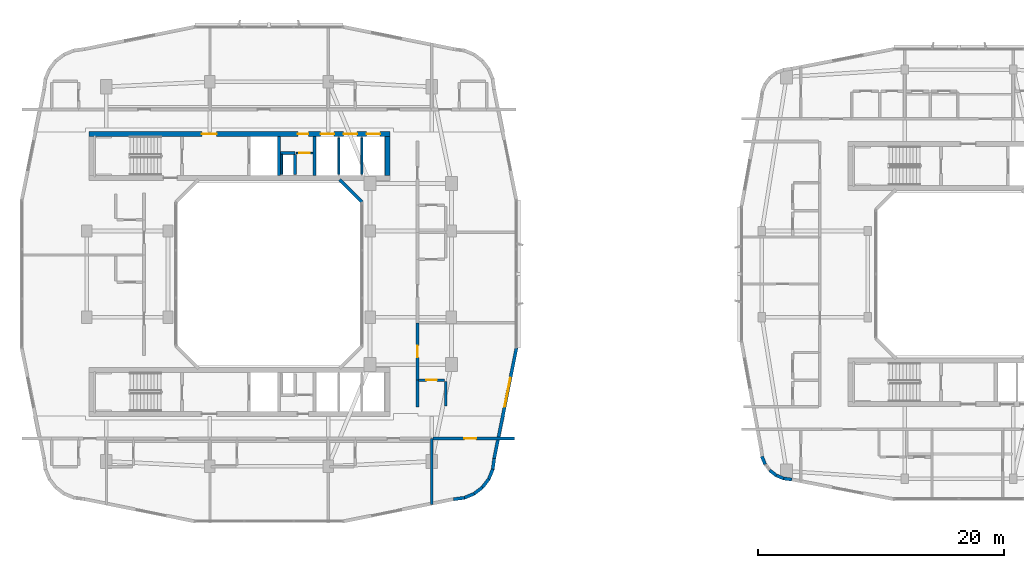
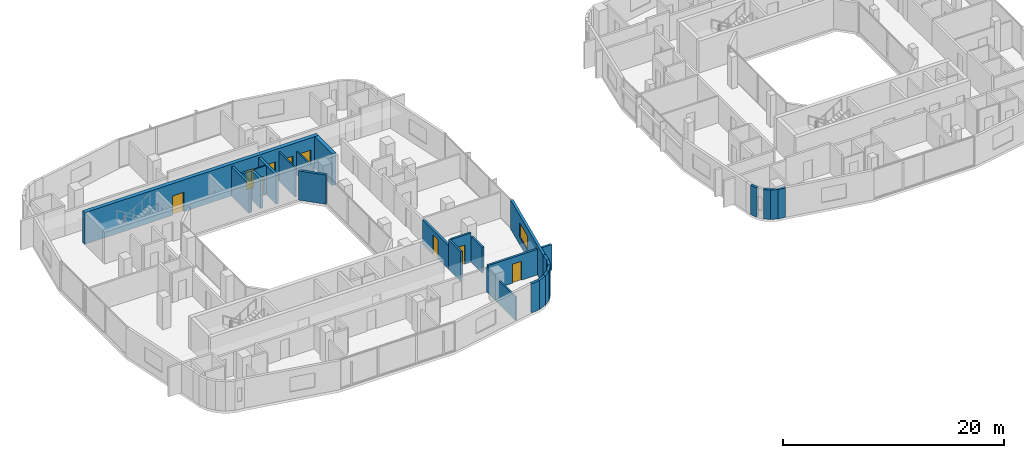
# One storey, part 14 of 26: 28 walls, 9 doors, 1 window, 10 openings.
"""IFC4 building model written with IfcOpenShell, lengths in metres."""

from ifc_helpers import new_model, si_unit, derived_unit, direction, frame, frame_2d, origin, place, context, subcontext, project, spatial, rectangle, extrude, material, layer, layer_set, type_object, element, fill, save


model = new_model("IFC4")

# Units and contexts
model_context = context("Model", 3, precision=1e-05, world=origin(), true_north=direction((0.0, 1.0)))
body_context = subcontext(model_context, "Body", "Model", "MODEL_VIEW")
ifc_project = project(units=[si_unit("LENGTHUNIT", "METRE"), si_unit("AREAUNIT", "SQUARE_METRE"), si_unit("VOLUMEUNIT", "CUBIC_METRE"), si_unit("PLANEANGLEUNIT", "RADIAN"), si_unit("MASSUNIT", "GRAM", prefix="KILO"), derived_unit("THERMALTRANSMITTANCEUNIT", [(si_unit("POWERUNIT", "WATT"), 1), (si_unit("LENGTHUNIT", "METRE"), -2), (si_unit("THERMODYNAMICTEMPERATUREUNIT", "KELVIN"), -1)])], contexts=[model_context])

# Site, building, storey
site_placement = place(None, origin())
site = spatial("IfcSite", under=ifc_project, at=site_placement, CompositionType="ELEMENT")
building_placement = place(site_placement, origin())
building = spatial("IfcBuilding", under=site, at=building_placement, Name="Kivonza Crest Hotel", CompositionType="ELEMENT")
storey_placement = place(building_placement, frame((0.0, 0.0, 98.5)))
storey = spatial("IfcBuildingStorey", under=building, at=storey_placement, Name="L26", CompositionType="ELEMENT", Elevation=98.5)

# Wall
ifc_material_1 = material(Name="High-density acoustic masonry inter-tenancy wall", Category="masonry")
ifc_layer_1 = layer(ifc_material_1, 0.179931640625)
ifc_layer_set_1 = layer_set([ifc_layer_1], Name="High-density acoustic masonry inter-tenancy wall")
wall_type_1 = type_object("IfcWallType", Name="WL-ACOU-180", PredefinedType="SOLIDWALL", material=ifc_layer_set_1)
wall_1_placement = place(storey_placement, frame((34.199951171875, 6.299072265625, 0.0), z_axis=(0.0, 0.0, 1.0), x_axis=(0.0, 1.0, 0.0)))
element("IfcWall", 1, at=wall_1_placement, inside=storey, type_object=wall_type_1, Name="L26 interior partition WA-L26-T1S-DIV4", PredefinedType="SOLIDWALL", context=body_context, shape_type="SweptSolid", body=[
    extrude(rectangle(XDim=5.350830078125, YDim=0.179931640625, at=frame_2d((2.67529296875, 0.0))), origin(), (0.0, 0.0, 1.0), 2.594970703125),
])

# Wall, opening, door
ifc_material_2 = material(Name="Autoclaved aerated concrete blockwork", Category="masonry")
ifc_layer_2 = layer(ifc_material_2, 0.219970703125)
ifc_layer_set_2 = layer_set([ifc_layer_2], Name="Autoclaved aerated concrete blockwork")
wall_type_2 = type_object("IfcWallType", Name="WL-ACOU-220", PredefinedType="SOLIDWALL", material=ifc_layer_set_2)
wall_2_placement = place(storey_placement, frame((34.300048828125, 11.64990234375, 0.0), z_axis=(0.0, 0.0, 1.0), x_axis=(1.0, 0.0, 0.0)))
wall_2 = element("IfcWall", 2, at=wall_2_placement, inside=storey, type_object=wall_type_2, Name="L26 interior partition WA-L26-BUS-MTG-N", PredefinedType="SOLIDWALL", context=body_context, shape_type="SweptSolid", body=[
    extrude(rectangle(XDim=6.639892578125, YDim=0.219970703125, at=frame_2d((3.31982421875, 0.0))), origin(), (0.0, 0.0, 1.0), 2.8349609375),
])
opening_1_placement = place(wall_2_placement, frame((2.550048828125, 0.0, 0.0)))
opening_1 = element("IfcOpeningElement", 3, at=opening_1_placement, cuts=wall_2, Name="Opening DF-60S", PredefinedType="OPENING", context=body_context, shape_type="SweptSolid", body=[
    extrude(rectangle(XDim=0.949951171875, YDim=2.10009765625, at=frame_2d((0.47509765625, 1.050048828125))), frame((0.0, 0.1201171875, 0.0), z_axis=(0.0, -1.0, 0.0), x_axis=(1.0, 0.0, 0.0)), (0.0, 0.0, 1.0), 0.239990234375),
])
ifc_material_3 = material(Name="Hardwood timber oak", Category="wood")
door_type_1 = type_object("IfcDoorType", Name="DR-FD60-950", OperationType="NOTDEFINED", PredefinedType="DOOR", material=ifc_material_3)
door_1_placement = place(opening_1_placement, frame((0.949951171875, 0.0, 0.0), z_axis=(0.0, 0.0, 1.0), x_axis=(-1.0, 0.0, 0.0)))
door_1 = element("IfcDoor", 4, at=door_1_placement, inside=storey, type_object=door_type_1, Name="L26 Floor Beverage Kitchen door", OperationType="SINGLE_SWING_RIGHT", OverallHeight=2.10009765625, OverallWidth=0.949951171875, PredefinedType="DOOR", context=body_context, shape_type="SweptSolid", body=[
    extrude(rectangle(XDim=0.949951171875, YDim=2.10009765625, at=frame_2d((0.47509765625, 1.050048828125))), frame((0.0, 0.02490234375, 0.0), z_axis=(0.0, -1.0, 0.0), x_axis=(1.0, 0.0, 0.0)), (0.0, 0.0, 1.0), 0.050048828125),
])
fill(opening_1, door_1)

# Wall
wall_3_placement = place(storey_placement, frame((33.050048828125, 14.199951171875, 0.0), z_axis=(0.0, 0.0, 1.0), x_axis=(0.0, 1.0, 0.0)))
element("IfcWall", 5, at=wall_3_placement, inside=storey, type_object=wall_type_2, Name="L26 interior partition WA-L26-E10-BCORR", PredefinedType="SOLIDWALL", context=body_context, shape_type="SweptSolid", body=[
    extrude(rectangle(XDim=2.199951171875, YDim=0.219970703125, at=frame_2d((1.10009765625, 0.0))), origin(), (0.0, 0.0, 1.0), 3.219970703125),
])

# Wall, opening, door
wall_4_placement = place(storey_placement, frame((33.050048828125, 16.39990234375, 0.0), z_axis=(0.0, 0.0, 1.0), x_axis=(0.0, 1.0, 0.0)))
wall_4 = element("IfcWall", 6, at=wall_4_placement, inside=storey, type_object=wall_type_2, Name="L26 interior partition WA-L26-E10-MCORR", PredefinedType="SOLIDWALL", context=body_context, shape_type="SweptSolid", body=[
    extrude(rectangle(XDim=4.649169921875, YDim=0.219970703125, at=frame_2d((2.32470703125, 0.0))), origin(), (0.0, 0.0, 1.0), 2.594970703125),
])
opening_2_placement = place(wall_4_placement, frame((1.85009765625, 0.0, 0.0)))
opening_2 = element("IfcOpeningElement", 7, at=opening_2_placement, cuts=wall_4, Name="Opening DU-60", PredefinedType="OPENING", context=body_context, shape_type="SweptSolid", body=[
    extrude(rectangle(XDim=0.949951171875, YDim=2.10009765625, at=frame_2d((0.47509765625, 1.050048828125))), frame((0.0, 0.1201171875, 0.0), z_axis=(0.0, -1.0, 0.0), x_axis=(1.0, 0.0, 0.0)), (0.0, 0.0, 1.0), 0.239990234375),
])
door_type_2 = type_object("IfcDoorType", Name="DR-UNIT-950", OperationType="NOTDEFINED", PredefinedType="DOOR", material=ifc_material_3)
door_2_placement = place(opening_2_placement, frame((0.949951171875, 0.0, 0.0), z_axis=(0.0, 0.0, 1.0), x_axis=(-1.0, 0.0, 0.0)))
door_2 = element("IfcDoor", 8, at=door_2_placement, inside=storey, type_object=door_type_2, Name="L26 E10 guest unit entrance fire door", OperationType="SINGLE_SWING_RIGHT", OverallHeight=2.10009765625, OverallWidth=0.949951171875, PredefinedType="DOOR", context=body_context, shape_type="SweptSolid", body=[
    extrude(rectangle(XDim=0.949951171875, YDim=2.10009765625, at=frame_2d((0.47509765625, 1.050048828125))), frame((0.0, 0.02490234375, 0.0), z_axis=(0.0, -1.0, 0.0), x_axis=(1.0, 0.0, 0.0)), (0.0, 0.0, 1.0), 0.050048828125),
])
fill(opening_2, door_2)

# Wall, openings, doors
ifc_material_4 = material(Name="Concrete C50/60", Category="concrete")
ifc_layer_3 = layer(ifc_material_4, 0.39990234375)
ifc_layer_set_3 = layer_set([ifc_layer_3], Name="Concrete C50/60")
wall_type_3 = type_object("IfcWallType", Name="WL-CORE-400", PredefinedType="SHEAR", material=ifc_layer_set_3)
wall_5_placement = place(storey_placement, frame((6.39990234375, 36.360107421875, 0.0), z_axis=(0.0, 0.0, 1.0), x_axis=(1.0, 0.0, 0.0)))
wall_5 = element("IfcWall", 9, at=wall_5_placement, inside=storey, type_object=wall_type_3, Name="Core wall T1-N North L26", PredefinedType="SHEAR", context=body_context, shape_type="SweptSolid", body=[
    extrude(rectangle(XDim=24.400146484375, YDim=0.39990234375, at=frame_2d((12.2001953125, 0.0))), origin(), (0.0, 0.0, 1.0), 3.5),
])
opening_3_placement = place(wall_5_placement, frame((9.14990234375, 0.0, 0.0)))
opening_3 = element("IfcOpeningElement", 10, at=opening_3_placement, cuts=wall_5, Name="Opening DF-60", PredefinedType="OPENING", context=body_context, shape_type="SweptSolid", body=[
    extrude(rectangle(XDim=1.199951171875, YDim=2.14990234375, at=frame_2d((0.60009765625, 1.074951171875))), frame((0.0, 0.2099609375, 0.0), z_axis=(0.0, -1.0, 0.0), x_axis=(1.0, 0.0, 0.0)), (0.0, 0.0, 1.0), 0.419921875),
])
opening_4_placement = place(wall_5_placement, frame((16.93994140625, 0.0, 0.0)))
opening_4 = element("IfcOpeningElement", 11, at=opening_4_placement, cuts=wall_5, Name="Opening DF-60R", PredefinedType="OPENING", context=body_context, shape_type="SweptSolid", body=[
    extrude(rectangle(XDim=0.85009765625, YDim=2.10009765625, at=frame_2d((0.425048828125, 1.050048828125))), frame((0.0, 0.2099609375, 0.0), z_axis=(0.0, -1.0, 0.0), x_axis=(1.0, 0.0, 0.0)), (0.0, 0.0, 1.0), 0.419921875),
])
opening_5_placement = place(wall_5_placement, frame((18.782958984375, 0.0, 0.0)))
opening_5 = element("IfcOpeningElement", 12, at=opening_5_placement, cuts=wall_5, Name="Opening LD-120", PredefinedType="OPENING", context=body_context, shape_type="SweptSolid", body=[
    extrude(rectangle(XDim=1.10009765625, YDim=2.14990234375, at=frame_2d((0.550048828125, 1.074951171875))), frame((0.0, 0.2099609375, 0.0), z_axis=(0.0, -1.0, 0.0), x_axis=(1.0, 0.0, 0.0)), (0.0, 0.0, 1.0), 0.419921875),
])
opening_6_placement = place(wall_5_placement, frame((20.64990234375, 0.0, 0.0)))
opening_6 = element("IfcOpeningElement", 13, at=opening_6_placement, cuts=wall_5, Name="Opening LD-120", PredefinedType="OPENING", context=body_context, shape_type="SweptSolid", body=[
    extrude(rectangle(XDim=1.10009765625, YDim=2.14990234375, at=frame_2d((0.550048828125, 1.074951171875))), frame((0.0, 0.2099609375, 0.0), z_axis=(0.0, -1.0, 0.0), x_axis=(1.0, 0.0, 0.0)), (0.0, 0.0, 1.0), 0.419921875),
])
opening_7_placement = place(wall_5_placement, frame((22.51708984375, 0.0, 0.0)))
opening_7 = element("IfcOpeningElement", 14, at=opening_7_placement, cuts=wall_5, Name="Opening LD-120", PredefinedType="OPENING", context=body_context, shape_type="SweptSolid", body=[
    extrude(rectangle(XDim=1.10009765625, YDim=2.14990234375, at=frame_2d((0.550048828125, 1.074951171875))), frame((0.0, 0.2099609375, 0.0), z_axis=(0.0, -1.0, 0.0), x_axis=(1.0, 0.0, 0.0)), (0.0, 0.0, 1.0), 0.419921875),
])
door_type_3 = type_object("IfcDoorType", Name="DR-FD60-1200", OperationType="NOTDEFINED", PredefinedType="DOOR", material=ifc_material_3)
door_3_placement = place(opening_3_placement, origin())
door_3 = element("IfcDoor", 15, at=door_3_placement, inside=storey, type_object=door_type_3, Name="L26 T1-N firefighting lobby fire door", OperationType="SINGLE_SWING_RIGHT", OverallHeight=2.14990234375, OverallWidth=1.199951171875, PredefinedType="DOOR", context=body_context, shape_type="SweptSolid", body=[
    extrude(rectangle(XDim=1.199951171875, YDim=2.14990234375, at=frame_2d((0.60009765625, 1.074951171875))), frame((0.0, 0.02490234375, 0.0), z_axis=(0.0, -1.0, 0.0), x_axis=(1.0, 0.0, 0.0)), (0.0, 0.0, 1.0), 0.050048828125),
])
fill(opening_3, door_3)
door_type_4 = type_object("IfcDoorType", Name="DR-FD60-850", OperationType="NOTDEFINED", PredefinedType="DOOR", material=ifc_material_3)
door_4_placement = place(opening_4_placement, origin())
door_4 = element("IfcDoor", 16, at=door_4_placement, inside=storey, type_object=door_type_4, Name="L26 T1-N core room door", OperationType="SINGLE_SWING_RIGHT", OverallHeight=2.10009765625, OverallWidth=0.85009765625, PredefinedType="DOOR", context=body_context, shape_type="SweptSolid", body=[
    extrude(rectangle(XDim=0.85009765625, YDim=2.10009765625, at=frame_2d((0.425048828125, 1.050048828125))), frame((0.0, 0.02490234375, 0.0), z_axis=(0.0, -1.0, 0.0), x_axis=(1.0, 0.0, 0.0)), (0.0, 0.0, 1.0), 0.050048828125),
])
fill(opening_4, door_4)
ifc_material_5 = material(Name="Stainless steel", Category="steel")
door_type_5 = type_object("IfcDoorType", Name="DR-LD120-1100", OperationType="NOTDEFINED", PredefinedType="DOOR", material=ifc_material_5)
door_5_placement = place(opening_5_placement, origin())
door_5 = element("IfcDoor", 17, at=door_5_placement, inside=storey, type_object=door_type_5, Name="L26 PL-T1-L1 passenger lift sliding landing door", OperationType="DOUBLE_DOOR_SLIDING", OverallHeight=2.14990234375, OverallWidth=1.10009765625, PredefinedType="DOOR", context=body_context, shape_type="SweptSolid", body=[
    extrude(rectangle(XDim=1.10009765625, YDim=2.14990234375, at=frame_2d((0.550048828125, 1.074951171875))), frame((0.0, 0.02490234375, 0.0), z_axis=(0.0, -1.0, 0.0), x_axis=(1.0, 0.0, 0.0)), (0.0, 0.0, 1.0), 0.050048828125),
])
fill(opening_5, door_5)
door_6_placement = place(opening_6_placement, origin())
door_6 = element("IfcDoor", 18, at=door_6_placement, inside=storey, type_object=door_type_5, Name="L26 PL-T1-L2 passenger lift sliding landing door", OperationType="DOUBLE_DOOR_SLIDING", OverallHeight=2.14990234375, OverallWidth=1.10009765625, PredefinedType="DOOR", context=body_context, shape_type="SweptSolid", body=[
    extrude(rectangle(XDim=1.10009765625, YDim=2.14990234375, at=frame_2d((0.550048828125, 1.074951171875))), frame((0.0, 0.02490234375, 0.0), z_axis=(0.0, -1.0, 0.0), x_axis=(1.0, 0.0, 0.0)), (0.0, 0.0, 1.0), 0.050048828125),
])
fill(opening_6, door_6)
door_7_placement = place(opening_7_placement, origin())
door_7 = element("IfcDoor", 19, at=door_7_placement, inside=storey, type_object=door_type_5, Name="L26 PL-T1-L3 passenger lift sliding landing door", OperationType="DOUBLE_DOOR_SLIDING", OverallHeight=2.14990234375, OverallWidth=1.10009765625, PredefinedType="DOOR", context=body_context, shape_type="SweptSolid", body=[
    extrude(rectangle(XDim=1.10009765625, YDim=2.14990234375, at=frame_2d((0.550048828125, 1.074951171875))), frame((0.0, 0.02490234375, 0.0), z_axis=(0.0, -1.0, 0.0), x_axis=(1.0, 0.0, 0.0)), (0.0, 0.0, 1.0), 0.050048828125),
])
fill(opening_7, door_7)

# Walls
wall_6_placement = place(storey_placement, frame((30.60009765625, 33.0, 0.0), z_axis=(0.0, 0.0, 1.0), x_axis=(0.0, 1.0, 0.0)))
element("IfcWall", 20, at=wall_6_placement, inside=storey, type_object=wall_type_3, Name="Core wall T1-N East L26", PredefinedType="SHEAR", context=body_context, shape_type="SweptSolid", body=[
    extrude(rectangle(XDim=3.159912109375, YDim=0.39990234375, at=frame_2d((1.580078125, 0.0))), origin(), (0.0, 0.0, 1.0), 3.5),
])
ifc_material_6 = material(Name="Precast concrete C40/50", Category="concrete")
ifc_layer_4 = layer(ifc_material_6, 0.260009765625)
ifc_layer_set_4 = layer_set([ifc_layer_4], Name="Precast concrete C40/50")
wall_type_4 = type_object("IfcWallType", Name="WL-EXT-260", PredefinedType="STANDARD", material=ifc_layer_set_4)
wall_7_placement = place(storey_placement, frame((35.97509765625, 6.72802734375, 0.0), z_axis=(0.0, 0.0, 1.0), x_axis=(0.991388484223, 0.130953706898, 0.0)))
element("IfcWall", 21, at=wall_7_placement, inside=storey, type_object=wall_type_4, Name="L26 T1 exterior insulated wall 10", PredefinedType="STANDARD", context=body_context, shape_type="SweptSolid", body=[
    extrude(rectangle(XDim=0.885498046875, YDim=0.260009765625, at=frame_2d((0.44287109375, 0.0))), origin(), (0.0, 0.0, 1.0), 3.219970703125),
])
wall_8_placement = place(storey_placement, frame((36.806884765625, 6.825927734375, 0.0), z_axis=(0.0, 0.0, 1.0), x_axis=(0.923627776508, 0.383290660547, 0.0)))
element("IfcWall", 22, at=wall_8_placement, inside=storey, type_object=wall_type_4, Name="L26 T1 exterior insulated wall 11", PredefinedType="STANDARD", context=body_context, shape_type="SweptSolid", body=[
    extrude(rectangle(XDim=0.9033203125, YDim=0.260009765625, at=frame_2d((0.45166015625, 0.0))), origin(), (0.0, 0.0, 1.0), 3.219970703125),
])
wall_9_placement = place(storey_placement, frame((37.60107421875, 7.14404296875, 0.0), z_axis=(0.0, 0.0, 1.0), x_axis=(0.793458244748, 0.608624690463, 0.0)))
element("IfcWall", 23, at=wall_9_placement, inside=storey, type_object=wall_type_4, Name="L26 T1 exterior insulated wall 12", PredefinedType="STANDARD", context=body_context, shape_type="SweptSolid", body=[
    extrude(rectangle(XDim=0.902099609375, YDim=0.260009765625, at=frame_2d((0.451171875, 0.0))), origin(), (0.0, 0.0, 1.0), 3.219970703125),
])
wall_10_placement = place(storey_placement, frame((38.285888671875, 7.655029296875, 0.0), z_axis=(0.0, 0.0, 1.0), x_axis=(0.608494022858, 0.793558456666, 0.0)))
element("IfcWall", 24, at=wall_10_placement, inside=storey, type_object=wall_type_4, Name="L26 T1 exterior insulated wall 13", PredefinedType="STANDARD", context=body_context, shape_type="SweptSolid", body=[
    extrude(rectangle(XDim=0.90234375, YDim=0.260009765625, at=frame_2d((0.451171875, 0.0))), origin(), (0.0, 0.0, 1.0), 3.219970703125),
])
wall_11_placement = place(storey_placement, frame((38.81396484375, 8.326904296875, 0.0), z_axis=(0.0, 0.0, 1.0), x_axis=(0.383155708213, 0.923683767999, 0.0)))
element("IfcWall", 25, at=wall_11_placement, inside=storey, type_object=wall_type_4, Name="L26 T1 exterior insulated wall 14", PredefinedType="STANDARD", context=body_context, shape_type="SweptSolid", body=[
    extrude(rectangle(XDim=0.90283203125, YDim=0.260009765625, at=frame_2d((0.451416015625, 0.0))), origin(), (0.0, 0.0, 1.0), 3.219970703125),
])
wall_12_placement = place(storey_placement, frame((39.152099609375, 9.112060546875, 0.0), z_axis=(0.0, 0.0, 1.0), x_axis=(0.130200706103, 0.991487658083, 0.0)))
element("IfcWall", 26, at=wall_12_placement, inside=storey, type_object=wall_type_4, Name="L26 T1 exterior insulated wall 15", PredefinedType="STANDARD", context=body_context, shape_type="SweptSolid", body=[
    extrude(rectangle(XDim=0.920654296875, YDim=0.260009765625, at=frame_2d((0.46044921875, 0.0))), origin(), (0.0, 0.0, 1.0), 3.219970703125),
])

# Wall, opening, window
wall_13_placement = place(storey_placement, frame((39.27099609375, 10.01806640625, 0.0), z_axis=(0.0, 0.0, 1.0), x_axis=(0.197435082048, 0.980315963543, 0.0)))
wall_13 = element("IfcWall", 27, at=wall_13_placement, inside=storey, type_object=wall_type_4, Name="L26 T1 exterior insulated wall 16", PredefinedType="STANDARD", context=body_context, shape_type="SweptSolid", body=[
    extrude(rectangle(XDim=9.1826171875, YDim=0.260009765625, at=frame_2d((4.59130859375, 0.0))), origin(), (0.0, 0.0, 1.0), 3.219970703125),
])
opening_8_placement = place(wall_13_placement, frame((4.285888671875, 0.0, 0.800048828125)))
opening_8 = element("IfcOpeningElement", 28, at=opening_8_placement, cuts=wall_13, Name="Opening WN-05", PredefinedType="OPENING", context=body_context, shape_type="SweptSolid", body=[
    extrude(rectangle(XDim=2.39990234375, YDim=1.60009765625, at=frame_2d((1.199951171875, 0.800048828125))), frame((0.0, 0.14013671875, 0.0), z_axis=(0.0, -1.0, 0.0), x_axis=(1.0, 0.0, 0.0)), (0.0, 0.0, 1.0), 0.280029296875),
])
ifc_material_7 = material(Name="Thermally broken bronze aluminium and low-E double glazing", Category="aluminium")
window_type = type_object("IfcWindowType", Name="WN-240x160", PartitioningType="TRIPLE_PANEL_VERTICAL", PredefinedType="WINDOW", material=ifc_material_7)
window_placement = place(opening_8_placement, origin())
window = element("IfcWindow", 29, at=window_placement, inside=storey, type_object=window_type, Name="L26 T1 facade window 16", OverallHeight=1.60009765625, OverallWidth=2.39990234375, PartitioningType="SINGLE_PANEL", PredefinedType="WINDOW", context=body_context, shape_type="SweptSolid", body=[
    extrude(rectangle(XDim=2.39990234375, YDim=1.60009765625, at=frame_2d((1.199951171875, 0.800048828125))), frame((0.0, 0.030029296875, 0.0), z_axis=(0.0, -1.0, 0.0), x_axis=(1.0, 0.0, 0.0)), (0.0, 0.0, 1.0), 0.06005859375),
])
fill(opening_8, window)

# Walls
wall_14_placement = place(storey_placement, frame((28.555908203125, 30.827880859375, 0.0), z_axis=(0.0, 0.0, 1.0), x_axis=(-0.707059717605, 0.707153841636, 0.0)))
element("IfcWall", 30, at=wall_14_placement, inside=storey, type_object=wall_type_4, Name="L26 T1 light-well exterior wall 4", PredefinedType="STANDARD", context=body_context, shape_type="SweptSolid", body=[
    extrude(rectangle(XDim=2.59375, YDim=0.260009765625, at=frame_2d((1.296875, 0.0))), origin(), (0.0, 0.0, 1.0), 3.219970703125),
])
wall_15_placement = place(storey_placement, frame((60.9990234375, 10.199951171875, 0.0), z_axis=(0.0, 0.0, 1.0), x_axis=(0.381988976935, -0.924166879681, 0.0)))
element("IfcWall", 31, at=wall_15_placement, inside=storey, type_object=wall_type_4, Name="L26 T2 exterior insulated wall 2", PredefinedType="STANDARD", context=body_context, shape_type="SweptSolid", body=[
    extrude(rectangle(XDim=0.693359375, YDim=0.260009765625, at=frame_2d((0.3466796875, 0.0))), origin(), (0.0, 0.0, 1.0), 3.25),
])
wall_16_placement = place(storey_placement, frame((61.62109375, 9.080078125, 0.0), z_axis=(0.0, 0.0, 1.0), x_axis=(0.792506234191, -0.609863811657, 0.0)))
element("IfcWall", 32, at=wall_16_placement, inside=storey, type_object=wall_type_4, Name="L26 T2 exterior insulated wall 4", PredefinedType="STANDARD", context=body_context, shape_type="SweptSolid", body=[
    extrude(rectangle(XDim=0.69384765625, YDim=0.260009765625, at=frame_2d((0.346923828125, 0.0))), origin(), (0.0, 0.0, 1.0), 3.25),
])
wall_17_placement = place(storey_placement, frame((62.126953125, 8.677978515625, 0.0), z_axis=(0.0, 0.0, 1.0), x_axis=(0.92421822618, -0.381864727877, 0.0)))
element("IfcWall", 33, at=wall_17_placement, inside=storey, type_object=wall_type_4, Name="L26 T2 exterior insulated wall 5", PredefinedType="STANDARD", context=body_context, shape_type="SweptSolid", body=[
    extrude(rectangle(XDim=0.693603515625, YDim=0.260009765625, at=frame_2d((0.3466796875, 0.0))), origin(), (0.0, 0.0, 1.0), 3.25),
])
wall_18_placement = place(storey_placement, frame((62.718994140625, 8.4208984375, 0.0), z_axis=(0.0, 0.0, 1.0), x_axis=(0.991433279471, -0.130614135366, 0.0)))
element("IfcWall", 34, at=wall_18_placement, inside=storey, type_object=wall_type_4, Name="L26 T2 exterior insulated wall 6", PredefinedType="STANDARD", context=body_context, shape_type="SweptSolid", body=[
    extrude(rectangle(XDim=0.712158203125, YDim=0.260009765625, at=frame_2d((0.35595703125, 0.0))), origin(), (0.0, 0.0, 1.0), 3.25),
])
ifc_material_8 = material(Name="Concrete blockwork fire-compartment wall", Category="masonry")
ifc_layer_5 = layer(ifc_material_8, 0.25)
ifc_layer_set_5 = layer_set([ifc_layer_5], Name="Concrete blockwork fire-compartment wall")
wall_type_5 = type_object("IfcWallType", Name="WL-FIRE-250", PredefinedType="SOLIDWALL", material=ifc_layer_set_5)
wall_19_placement = place(storey_placement, frame((23.10009765625, 33.10009765625, 0.0), z_axis=(0.0, 0.0, 1.0), x_axis=(0.0, 1.0, 0.0)))
element("IfcWall", 35, at=wall_19_placement, inside=storey, type_object=wall_type_5, Name="L26 interior partition WA-L26-T1-N-MEPR-E", PredefinedType="SOLIDWALL", context=body_context, shape_type="SweptSolid", body=[
    extrude(rectangle(XDim=1.619873046875, YDim=0.25, at=frame_2d((0.81005859375, 0.0))), origin(), (0.0, 0.0, 1.0), 3.219970703125),
])
wall_20_placement = place(storey_placement, frame((21.949951171875, 34.820068359375, 0.0), z_axis=(0.0, 0.0, 1.0), x_axis=(1.0, 0.0, 0.0)))
element("IfcWall", 36, at=wall_20_placement, inside=storey, type_object=wall_type_5, Name="L26 interior partition WA-L26-T1-N-MEPR-H", PredefinedType="SOLIDWALL", context=body_context, shape_type="SweptSolid", body=[
    extrude(rectangle(XDim=1.150146484375, YDim=0.25, at=frame_2d((0.5751953125, 0.0))), origin(), (0.0, 0.0, 1.0), 3.219970703125),
])

# Wall, opening, door
ifc_material_9 = material(Name="Metal-stud gypsum board partition", Category="gypsum")
ifc_layer_6 = layer(ifc_material_9, 0.125)
ifc_layer_set_6 = layer_set([ifc_layer_6], Name="Metal-stud gypsum board partition")
wall_type_6 = type_object("IfcWallType", Name="WL-PART-125", PredefinedType="PARTITIONING", material=ifc_layer_set_6)
wall_21_placement = place(storey_placement, frame((23.219970703125, 34.820068359375, 0.0), z_axis=(0.0, 0.0, 1.0), x_axis=(1.0, 0.0, 0.0)))
wall_21 = element("IfcWall", 37, at=wall_21_placement, inside=storey, type_object=wall_type_6, Name="L26 interior partition WP-L26-T1-N-SV3H", PredefinedType="PARTITIONING", context=body_context, shape_type="SweptSolid", body=[
    extrude(rectangle(XDim=1.330078125, YDim=0.125, at=frame_2d((0.6650390625, 0.0))), origin(), (0.0, 0.0, 1.0), 3.219970703125),
])
opening_9_placement = place(wall_21_placement, frame((0.239990234375, 0.0, 0.0)))
opening_9 = element("IfcOpeningElement", 38, at=opening_9_placement, cuts=wall_21, Name="Opening DI-85", PredefinedType="OPENING", context=body_context, shape_type="SweptSolid", body=[
    extrude(rectangle(XDim=0.85009765625, YDim=2.10009765625, at=frame_2d((0.425048828125, 1.050048828125))), frame((0.0, 0.072509765625, 0.0), z_axis=(0.0, -1.0, 0.0), x_axis=(1.0, 0.0, 0.0)), (0.0, 0.0, 1.0), 0.14501953125),
])
door_type_6 = type_object("IfcDoorType", Name="DR-INT-850", OperationType="NOTDEFINED", PredefinedType="DOOR", material=ifc_material_3)
door_8_placement = place(opening_9_placement, origin())
door_8 = element("IfcDoor", 39, at=door_8_placement, inside=storey, type_object=door_type_6, Name="L26 T1-N inner manifold door", OperationType="SINGLE_SWING_LEFT", OverallHeight=2.10009765625, OverallWidth=0.85009765625, PredefinedType="DOOR", context=body_context, shape_type="SweptSolid", body=[
    extrude(rectangle(XDim=0.85009765625, YDim=2.10009765625, at=frame_2d((0.425048828125, 1.050048828125))), frame((0.0, 0.02490234375, 0.0), z_axis=(0.0, -1.0, 0.0), x_axis=(1.0, 0.0, 0.0)), (0.0, 0.0, 1.0), 0.050048828125),
])
fill(opening_9, door_8)

# Walls
ifc_material_10 = material(Name="Twin-stud acoustic gypsum board partition", Category="gypsum")
ifc_layer_7 = layer(ifc_material_10, 0.14990234375)
ifc_layer_set_7 = layer_set([ifc_layer_7], Name="Twin-stud acoustic gypsum board partition")
wall_type_7 = type_object("IfcWallType", Name="WL-PART-150", PredefinedType="PARTITIONING", material=ifc_layer_set_7)
wall_22_placement = place(storey_placement, frame((22.030029296875, 33.10009765625, 0.0), z_axis=(0.0, 0.0, 1.0), x_axis=(0.0, 1.0, 0.0)))
element("IfcWall", 40, at=wall_22_placement, inside=storey, type_object=wall_type_7, Name="L26 interior partition WA-L26-T1-N-MEPR-W", PredefinedType="PARTITIONING", context=body_context, shape_type="SweptSolid", body=[
    extrude(rectangle(XDim=1.619873046875, YDim=0.14990234375, at=frame_2d((0.81005859375, 0.0))), origin(), (0.0, 0.0, 1.0), 3.219970703125),
])
wall_23_placement = place(storey_placement, frame((26.6669921875, 33.10009765625, 0.0), z_axis=(0.0, 0.0, 1.0), x_axis=(0.0, 1.0, 0.0)))
element("IfcWall", 41, at=wall_23_placement, inside=storey, type_object=wall_type_7, Name="L26 interior partition WP-L26-T1-N-BSH-1", PredefinedType="PARTITIONING", context=body_context, shape_type="SweptSolid", body=[
    extrude(rectangle(XDim=2.9599609375, YDim=0.14990234375, at=frame_2d((1.47998046875, 0.0))), origin(), (0.0, 0.0, 1.0), 3.219970703125),
])
wall_24_placement = place(storey_placement, frame((28.532958984375, 33.10009765625, 0.0), z_axis=(0.0, 0.0, 1.0), x_axis=(0.0, 1.0, 0.0)))
element("IfcWall", 42, at=wall_24_placement, inside=storey, type_object=wall_type_7, Name="L26 interior partition WP-L26-T1-N-BSH-2", PredefinedType="PARTITIONING", context=body_context, shape_type="SweptSolid", body=[
    extrude(rectangle(XDim=2.9599609375, YDim=0.14990234375, at=frame_2d((1.47998046875, 0.0))), origin(), (0.0, 0.0, 1.0), 2.594970703125),
])

# Wall, opening, door
ifc_material_11 = material(Name="Moisture-resistant plumbing chase partition wall", Category="gypsum")
ifc_layer_8 = layer(ifc_material_11, 0.199951171875)
ifc_layer_set_8 = layer_set([ifc_layer_8], Name="Moisture-resistant plumbing chase partition wall")
wall_type_8 = type_object("IfcWallType", Name="WL-PLUMB-200", PredefinedType="PLUMBINGWALL", material=ifc_layer_set_8)
wall_25_placement = place(storey_placement, frame((33.14990234375, 16.39990234375, 0.0), z_axis=(0.0, 0.0, 1.0), x_axis=(1.0, 0.0, 0.0)))
wall_25 = element("IfcWall", 43, at=wall_25_placement, inside=storey, type_object=wall_type_8, Name="L26 interior partition WW-L26-E10-BH", PredefinedType="PLUMBINGWALL", context=body_context, shape_type="SweptSolid", body=[
    extrude(rectangle(XDim=2.10009765625, YDim=0.199951171875, at=frame_2d((1.050048828125, 0.0))), origin(), (0.0, 0.0, 1.0), 3.219970703125),
])
opening_10_placement = place(wall_25_placement, frame((0.625, 0.0, 0.0)))
opening_10 = element("IfcOpeningElement", 44, at=opening_10_placement, cuts=wall_25, Name="Opening DI-85", PredefinedType="OPENING", context=body_context, shape_type="SweptSolid", body=[
    extrude(rectangle(XDim=0.85009765625, YDim=2.10009765625, at=frame_2d((0.425048828125, 1.050048828125))), frame((0.0, 0.10986328125, 0.0), z_axis=(0.0, -1.0, 0.0), x_axis=(1.0, 0.0, 0.0)), (0.0, 0.0, 1.0), 0.219970703125),
])
door_9_placement = place(opening_10_placement, origin())
door_9 = element("IfcDoor", 45, at=door_9_placement, inside=storey, type_object=door_type_6, Name="L26 E10 en-suite bathroom door", OperationType="SINGLE_SWING_LEFT", OverallHeight=2.10009765625, OverallWidth=0.85009765625, PredefinedType="DOOR", context=body_context, shape_type="SweptSolid", body=[
    extrude(rectangle(XDim=0.85009765625, YDim=2.10009765625, at=frame_2d((0.425048828125, 1.050048828125))), frame((0.0, 0.02490234375, 0.0), z_axis=(0.0, -1.0, 0.0), x_axis=(1.0, 0.0, 0.0)), (0.0, 0.0, 1.0), 0.050048828125),
])
fill(opening_10, door_9)

# Walls
wall_26_placement = place(storey_placement, frame((35.35009765625, 14.300048828125, 0.0), z_axis=(0.0, 0.0, 1.0), x_axis=(0.0, 1.0, 0.0)))
element("IfcWall", 46, at=wall_26_placement, inside=storey, type_object=wall_type_8, Name="L26 interior partition WW-L26-E10-BV", PredefinedType="PLUMBINGWALL", context=body_context, shape_type="SweptSolid", body=[
    extrude(rectangle(XDim=2.0, YDim=0.199951171875, at=frame_2d((1.0, 0.0))), origin(), (0.0, 0.0, 1.0), 2.8349609375),
])
ifc_layer_9 = layer(ifc_material_4, 0.25)
ifc_layer_set_9 = layer_set([ifc_layer_9], Name="Concrete C50/60")
wall_type_9 = type_object("IfcWallType", Name="WL-SHAFT-250", PredefinedType="STANDARD", material=ifc_layer_set_9)
for number, where, z_axis, x_axis, name in (
    (47, (21.824951171875, 33.0, 0.0), (0.0, 0.0, 1.0), (0.0, 1.0, 0.0), "Core shaft wall T1-N FFL-E L26"),
    (48, (24.675048828125, 33.0, 0.0), (0.0, 0.0, 1.0), (0.0, 1.0, 0.0), "Core shaft wall T1-N BANK-W L26"),
):
    element("IfcWall", number, at=place(storey_placement, frame(where, z_axis=z_axis, x_axis=x_axis)), inside=storey, type_object=wall_type_9, Name=name, PredefinedType="STANDARD", context=body_context, shape_type="SweptSolid", body=[
        extrude(rectangle(XDim=3.159912109375, YDim=0.25, at=frame_2d((1.580078125, 0.0))), origin(), (0.0, 0.0, 1.0), 3.219970703125),
    ])

save(model, "model.ifc")
